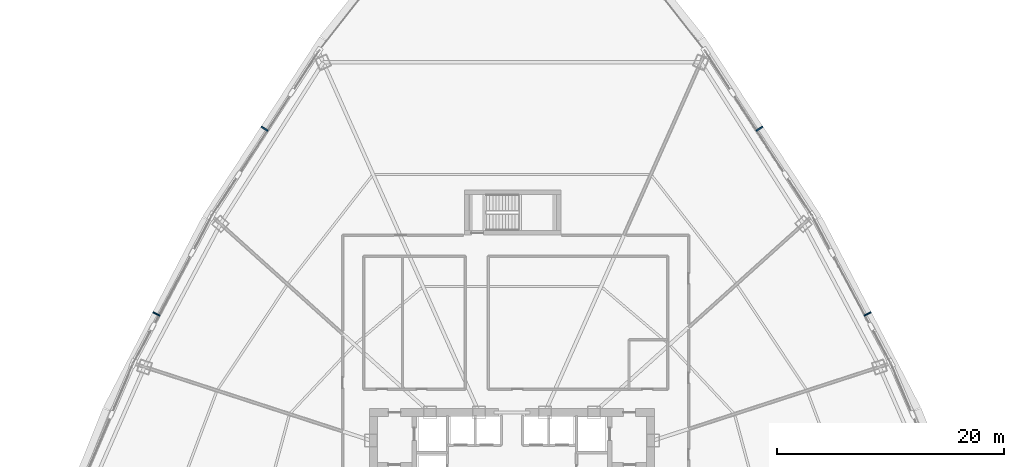
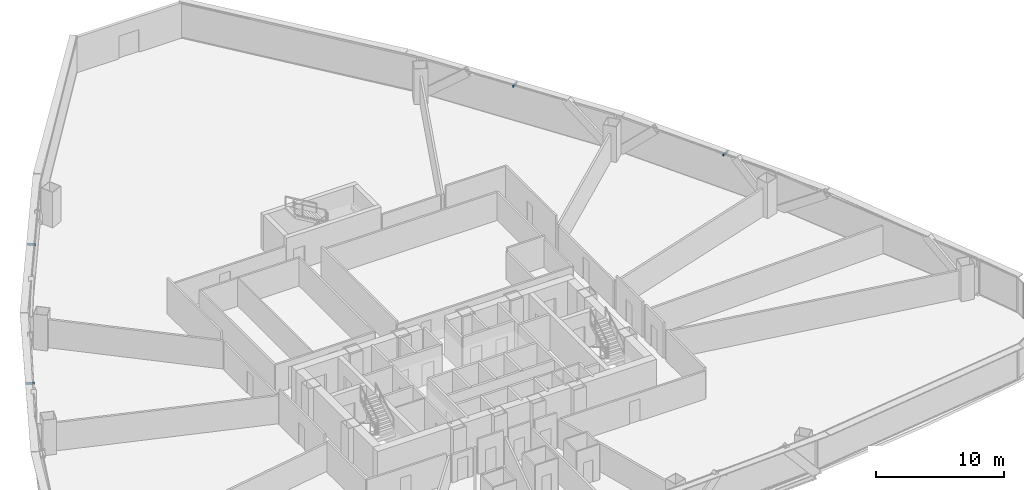
# One storey, part 37 of 41: 4 discrete accessories.
"""IFC4 building model written with IfcOpenShell, lengths in metres."""

from ifc_helpers import new_model, si_unit, direction, frame, origin, origin_2d, place, context, subcontext, project, spatial, rectangle, extrude, source, transform, mapped, material, type_object, element, save


model = new_model("IFC4")

# Units and contexts
model_context = context("Model", 3, precision=1e-05, world=origin(), true_north=direction((0.0, 1.0)))
body_context = subcontext(model_context, "Body", "Model", "MODEL_VIEW")
ifc_project = project(units=[si_unit("LENGTHUNIT", "METRE"), si_unit("AREAUNIT", "SQUARE_METRE"), si_unit("VOLUMEUNIT", "CUBIC_METRE"), si_unit("PLANEANGLEUNIT", "RADIAN"), si_unit("MASSUNIT", "GRAM", prefix="KILO"), si_unit("THERMODYNAMICTEMPERATUREUNIT", "KELVIN"), si_unit("POWERUNIT", "WATT")], contexts=[model_context])

# Site, building, storey
site_placement = place(None, origin())
site = spatial("IfcSite", under=ifc_project, at=site_placement, CompositionType="ELEMENT")
building_placement = place(site_placement, origin())
building = spatial("IfcBuilding", under=site, at=building_placement, Name="Yunzhuo Pagoda Commons", CompositionType="ELEMENT")
storey_placement = place(building_placement, frame((0.0, 0.0, 63.070068359375)))
storey = spatial("IfcBuildingStorey", under=building, at=storey_placement, Name="L16", CompositionType="ELEMENT", Elevation=63.070068359375)

# Discrete accessories
ifc_material = material(Name="Anodized aluminium 6063-T6", Category="aluminium")
discrete_accessory_type = type_object("IfcDiscreteAccessoryType", Name="BK-SUN1 Sunshade Outrigger Bracket", PredefinedType="BRACKET", material=ifc_material)
shared_shape = source(origin(), body_context, "Body", "SweptSolid", [
    extrude(rectangle(XDim=0.1201171875, YDim=0.679931640625, at=origin_2d()), origin(), (0.0, 0.0, 1.0), 0.179931640625),
])
for number, where, z_axis, x_axis, name in (
    (1, (79.2890625, 48.8671875, 3.16015625), (0.0, 0.0, 1.0), (-0.461206683033, 0.88729273384, 0.0), "L16 sunshade outrigger bracket F2.2"),
    (2, (69.7705078125, 65.17333984375, 3.16015625), (0.0, 0.0, 1.0), (-0.545838756973, 0.837890238269, 0.0), "L16 sunshade outrigger bracket F2.3"),
    (3, (26.2294921875, 65.17333984375, 3.16015625), (0.0, 0.0, 1.0), (-0.545838756973, -0.837890238269, 0.0), "L16 sunshade outrigger bracket F3.2"),
    (4, (16.7109375, 48.8671875, 3.16015625), (0.0, 0.0, 1.0), (-0.461206683033, -0.88729273384, 0.0), "L16 sunshade outrigger bracket F3.3"),
):
    element("IfcDiscreteAccessory", number, at=place(storey_placement, frame(where, z_axis=z_axis, x_axis=x_axis)), inside=storey, type_object=discrete_accessory_type, Name=name, PredefinedType="BRACKET", context=body_context, shape_type="MappedRepresentation", body=[
        mapped(shared_shape, transform((0.0, 0.0, 0.0), scale=1.0)),
    ])

save(model, "model.ifc")
